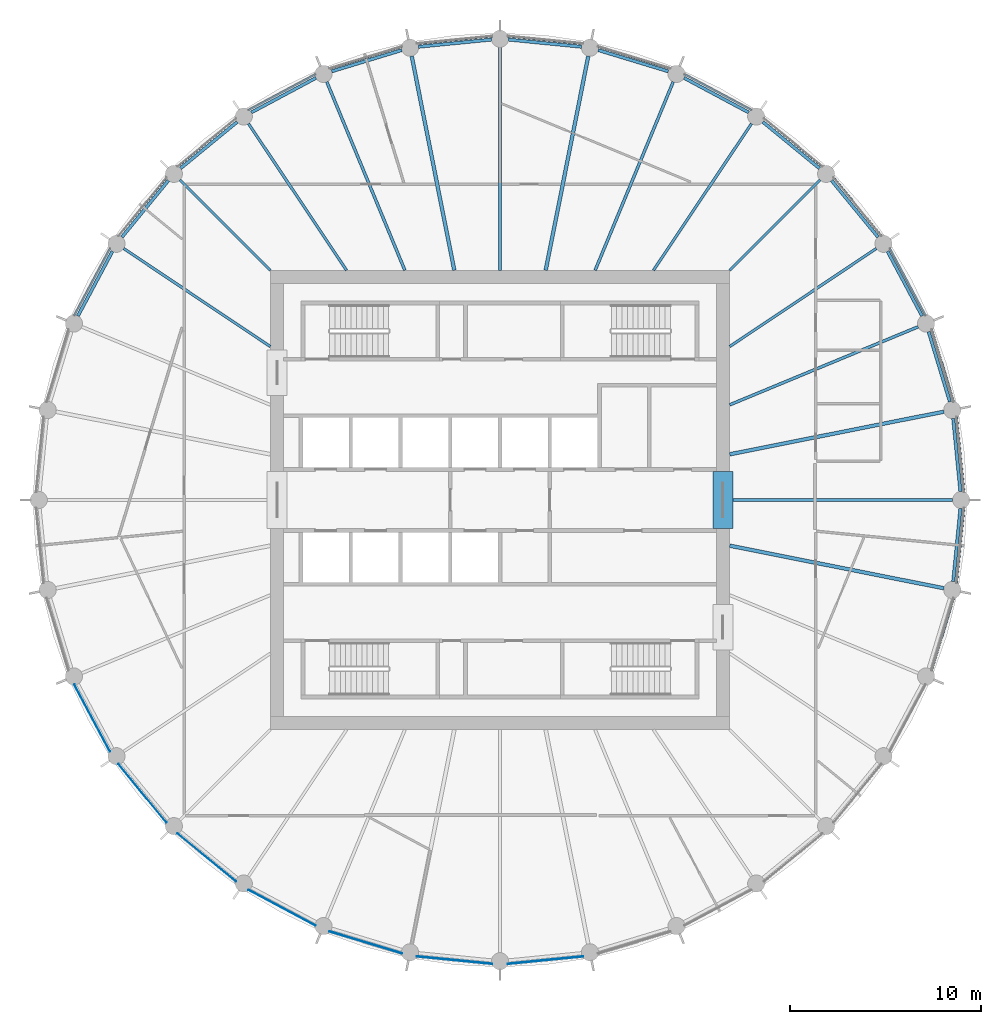
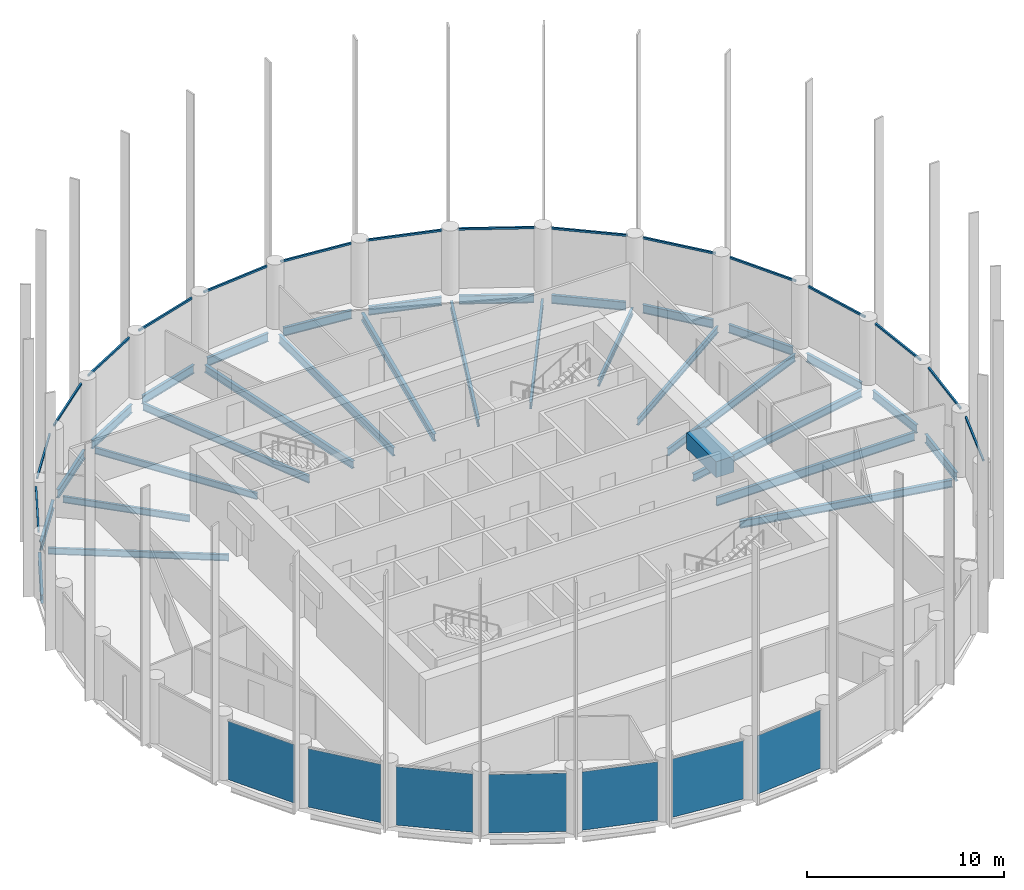
# One storey, part 2 of 7: 31 beams, 16 members, 7 plates, 23 elements without a shape of their own.
"""IFC4 building model written with IfcOpenShell, lengths in metres."""

from ifc_helpers import new_model, si_unit, direction, frame, origin, origin_2d, place, context, subcontext, project, spatial, rectangle, i_section, extrude, material, layer, layer_set, material_profile, profile_set, type_object, element, aggregate, save


model = new_model("IFC4")

# Units and contexts
model_context = context("Model", 3, precision=1e-05, world=origin(), true_north=direction((0.0, 1.0)))
body_context = subcontext(model_context, "Body", "Model", "MODEL_VIEW")
ifc_project = project(units=[si_unit("LENGTHUNIT", "METRE"), si_unit("AREAUNIT", "SQUARE_METRE"), si_unit("VOLUMEUNIT", "CUBIC_METRE"), si_unit("PLANEANGLEUNIT", "RADIAN"), si_unit("MASSUNIT", "GRAM", prefix="KILO")], contexts=[model_context])

# Site, building, storey
site_placement = place(None, origin())
site = spatial("IfcSite", under=ifc_project, at=site_placement, CompositionType="ELEMENT")
building_placement = place(site_placement, origin())
building = spatial("IfcBuilding", under=site, at=building_placement, Name="Corvane Civic Tower", CompositionType="ELEMENT")
storey_placement = place(building_placement, frame((0.0, 0.0, 279.0)))
storey = spatial("IfcBuildingStorey", under=building, at=storey_placement, Name="L66", CompositionType="ELEMENT", Elevation=279.0)

# Beams
ifc_material_1 = material(Name="Concrete C40/50", Category="concrete")
ifc_material_profile_1 = material_profile(ifc_material_1, rectangle(XDim=1.050048828125, YDim=1.0, at=origin_2d()), Name="COUPLING BEAM 1050X1000")
ifc_profile_set_1 = profile_set([ifc_material_profile_1], Name="Concrete C40/50")
beam_type_1 = type_object("IfcBeamType", Name="COUPLING BEAM COUPLING BEAM 1050X1000", PredefinedType="BEAM", material=ifc_profile_set_1)
beam_1_placement = place(storey_placement, frame((11.64990234375, -1.5, 2.60009765625), z_axis=(0.0, 1.0, 0.0), x_axis=(-1.0, 0.0, 0.0)))
element("IfcBeam", 1, at=beam_1_placement, inside=storey, type_object=beam_type_1, Name="BM-L66-cpl-CW-LE", PredefinedType="BEAM", context=body_context, shape_type="SweptSolid", body=[
    extrude(rectangle(XDim=1.050048828125, YDim=1.0, at=origin_2d()), origin(), (0.0, 0.0, 1.0), 3.0),
])
ifc_material_2 = material(Name="Steel ASTM A992 Gr 50", Category="steel")
ifc_material_profile_2 = material_profile(ifc_material_2, i_section(OverallWidth=0.165771484375, OverallDepth=0.5283203125, WebThickness=0.009765625, FlangeThickness=0.013671875, at=origin_2d()), Name="W21X50")
ifc_profile_set_2 = profile_set([ifc_material_profile_2], Name="Steel ASTM A992 Gr 50")
beam_type_2 = type_object("IfcBeamType", Name="EDGE BEAM W21X50", PredefinedType="BEAM", material=ifc_profile_set_2)
for number, where, z_axis, x_axis, name in (
    (2, (0.44775390625, 24.055908203125, -0.564208984375), (0.995187721162, -0.097986732007, 0.0), (0.097986732007, 0.995187721162, 0.0), "BM-L66-E01"),
    (3, (5.13232421875, 23.50634765625, -0.564208984375), (0.95692555902, -0.290333385085, 0.0), (0.290333385085, 0.95692555902, 0.0), "BM-L66-E02"),
):
    element("IfcBeam", number, at=place(storey_placement, frame(where, z_axis=z_axis, x_axis=x_axis)), inside=storey, type_object=beam_type_2, Name=name, PredefinedType="BEAM", context=body_context, shape_type="SweptSolid", body=[
        extrude(i_section(OverallWidth=0.165771484375, OverallDepth=0.5283203125, WebThickness=0.009765625, FlangeThickness=0.013671875, at=origin_2d()), origin(), (0.0, 0.0, 1.0), 3.824462890625),
    ])
beam_2_placement = place(storey_placement, frame((9.61962890625, 22.05322265625, -0.564208984375), z_axis=(0.881914279413, -0.471409804487, 0.0), x_axis=(0.471409804487, 0.881914279413, 0.0)))
element("IfcBeam", 4, at=beam_2_placement, inside=storey, type_object=beam_type_2, Name="BM-L66-E03", PredefinedType="BEAM", context=body_context, shape_type="SweptSolid", body=[
    extrude(i_section(OverallWidth=0.165771484375, OverallDepth=0.5283203125, WebThickness=0.009765625, FlangeThickness=0.013671875, at=origin_2d()), origin(), (0.0, 0.0, 1.0), 3.82421875),
])
for number, where, z_axis, x_axis, name in (
    (5, (13.737060546875, 19.7529296875, -0.564208984375), (0.772997914867, -0.634408562057, 0.0), (0.634408562057, 0.772997914867, 0.0), "BM-L66-E04"),
    (6, (17.32666015625, 16.693359375, -0.564208984375), (0.634408562057, -0.772997914867, 0.0), (0.772997914867, 0.634408562057, 0.0), "BM-L66-E05"),
):
    element("IfcBeam", number, at=place(storey_placement, frame(where, z_axis=z_axis, x_axis=x_axis)), inside=storey, type_object=beam_type_2, Name=name, PredefinedType="BEAM", context=body_context, shape_type="SweptSolid", body=[
        extrude(i_section(OverallWidth=0.165771484375, OverallDepth=0.5283203125, WebThickness=0.009765625, FlangeThickness=0.013671875, at=origin_2d()), origin(), (0.0, 0.0, 1.0), 3.824462890625),
    ])
beam_3_placement = place(storey_placement, frame((20.25048828125, 12.9921875, -0.564208984375), z_axis=(0.471409804487, -0.881914279413, 0.0), x_axis=(0.881914279413, 0.471409804487, 0.0)))
element("IfcBeam", 7, at=beam_3_placement, inside=storey, type_object=beam_type_2, Name="BM-L66-E06", PredefinedType="BEAM", context=body_context, shape_type="SweptSolid", body=[
    extrude(i_section(OverallWidth=0.165771484375, OverallDepth=0.5283203125, WebThickness=0.009765625, FlangeThickness=0.013671875, at=origin_2d()), origin(), (0.0, 0.0, 1.0), 3.82421875),
])
for number, where, z_axis, x_axis, name in (
    (8, (22.39599609375, 8.7919921875, -0.564208984375), (0.290333385085, -0.95692555902, 0.0), (0.95692555902, 0.290333385085, 0.0), "BM-L66-E07"),
    (9, (23.68115234375, 4.25390625, -0.564208984375), (0.097986732007, -0.995187721162, 0.0), (0.995187721162, 0.097986732007, 0.0), "BM-L66-E08"),
    (10, (24.055908203125, -0.44775390625, -0.564208984375), (-0.097986732007, -0.995187721162, 0.0), (0.995187721162, -0.097986732007, 0.0), "BM-L66-E09"),
):
    element("IfcBeam", number, at=place(storey_placement, frame(where, z_axis=z_axis, x_axis=x_axis)), inside=storey, type_object=beam_type_2, Name=name, PredefinedType="BEAM", context=body_context, shape_type="SweptSolid", body=[
        extrude(i_section(OverallWidth=0.165771484375, OverallDepth=0.5283203125, WebThickness=0.009765625, FlangeThickness=0.013671875, at=origin_2d()), origin(), (0.0, 0.0, 1.0), 3.824462890625),
    ])
beam_4_placement = place(storey_placement, frame((-22.05322265625, 9.61962890625, -0.564208984375), z_axis=(0.471409804487, 0.881914279413, 0.0), x_axis=(-0.881914279413, 0.471409804487, 0.0)))
element("IfcBeam", 11, at=beam_4_placement, inside=storey, type_object=beam_type_2, Name="BM-L66-E27", PredefinedType="BEAM", context=body_context, shape_type="SweptSolid", body=[
    extrude(i_section(OverallWidth=0.165771484375, OverallDepth=0.5283203125, WebThickness=0.009765625, FlangeThickness=0.013671875, at=origin_2d()), origin(), (0.0, 0.0, 1.0), 3.82421875),
])
for number, where, z_axis, x_axis, name in (
    (12, (-19.7529296875, 13.737060546875, -0.564208984375), (0.634408562057, 0.772997914867, 0.0), (-0.772997914867, 0.634408562057, 0.0), "BM-L66-E28"),
    (13, (-16.693359375, 17.32666015625, -0.564208984375), (0.772997914867, 0.634408562057, 0.0), (-0.634408562057, 0.772997914867, 0.0), "BM-L66-E29"),
):
    element("IfcBeam", number, at=place(storey_placement, frame(where, z_axis=z_axis, x_axis=x_axis)), inside=storey, type_object=beam_type_2, Name=name, PredefinedType="BEAM", context=body_context, shape_type="SweptSolid", body=[
        extrude(i_section(OverallWidth=0.165771484375, OverallDepth=0.5283203125, WebThickness=0.009765625, FlangeThickness=0.013671875, at=origin_2d()), origin(), (0.0, 0.0, 1.0), 3.824462890625),
    ])
beam_5_placement = place(storey_placement, frame((-12.9921875, 20.25048828125, -0.564208984375), z_axis=(0.881914279413, 0.471409804487, 0.0), x_axis=(-0.471409804487, 0.881914279413, 0.0)))
element("IfcBeam", 14, at=beam_5_placement, inside=storey, type_object=beam_type_2, Name="BM-L66-E30", PredefinedType="BEAM", context=body_context, shape_type="SweptSolid", body=[
    extrude(i_section(OverallWidth=0.165771484375, OverallDepth=0.5283203125, WebThickness=0.009765625, FlangeThickness=0.013671875, at=origin_2d()), origin(), (0.0, 0.0, 1.0), 3.82421875),
])
for number, where, z_axis, x_axis, name in (
    (15, (-8.7919921875, 22.39599609375, -0.564208984375), (0.95692555902, 0.290333385085, 0.0), (-0.290333385085, 0.95692555902, 0.0), "BM-L66-E31"),
    (16, (-4.25390625, 23.68115234375, -0.564208984375), (0.995187721162, 0.097986732007, 0.0), (-0.097986732007, 0.995187721162, 0.0), "BM-L66-E32"),
):
    element("IfcBeam", number, at=place(storey_placement, frame(where, z_axis=z_axis, x_axis=x_axis)), inside=storey, type_object=beam_type_2, Name=name, PredefinedType="BEAM", context=body_context, shape_type="SweptSolid", body=[
        extrude(i_section(OverallWidth=0.165771484375, OverallDepth=0.5283203125, WebThickness=0.009765625, FlangeThickness=0.013671875, at=origin_2d()), origin(), (0.0, 0.0, 1.0), 3.824462890625),
    ])
ifc_material_3 = material(Name="Steel ASTM A992 Gr 50", Category="steel")
ifc_material_profile_3 = material_profile(ifc_material_3, i_section(OverallWidth=0.140380859375, OverallDepth=0.40380859375, WebThickness=0.007080078125, FlangeThickness=0.01123046875, at=origin_2d()), Name="W16X31")
ifc_profile_set_3 = profile_set([ifc_material_profile_3], Name="Steel ASTM A992 Gr 50")
beam_type_3 = type_object("IfcBeamType", Name="FLOOR GIRDER W16X31", PredefinedType="BEAM", material=ifc_profile_set_3)
beam_6_placement = place(storey_placement, frame((8.01806640625, 12.0, -0.501953125), z_axis=(0.555567816355, 0.831471227061, 0.0), x_axis=(-0.831471227061, 0.555567816355, 0.0)))
element("IfcBeam", 17, at=beam_6_placement, inside=storey, type_object=beam_type_3, Name="BM-L66-G04", PredefinedType="BEAM", context=body_context, shape_type="SweptSolid", body=[
    extrude(i_section(OverallWidth=0.140380859375, OverallDepth=0.40380859375, WebThickness=0.007080078125, FlangeThickness=0.01123046875, at=origin_2d()), origin(), (0.0, 0.0, 1.0), 9.2177734375),
])
beam_7_placement = place(storey_placement, frame((12.0, 12.0, -0.501953125), z_axis=(0.707106781187, 0.707106781187, 0.0), x_axis=(-0.707106781187, 0.707106781187, 0.0)))
element("IfcBeam", 18, at=beam_7_placement, inside=storey, type_object=beam_type_3, Name="BM-L66-G05", PredefinedType="BEAM", context=body_context, shape_type="SweptSolid", body=[
    extrude(i_section(OverallWidth=0.140380859375, OverallDepth=0.40380859375, WebThickness=0.007080078125, FlangeThickness=0.01123046875, at=origin_2d()), origin(), (0.0, 0.0, 1.0), 6.679443359375),
])
for number, where, z_axis, x_axis, name in (
    (19, (12.0, 8.01806640625, -0.501953125), (0.831471227061, 0.555567816355, 0.0), (-0.555567816355, 0.831471227061, 0.0), "BM-L66-G06"),
    (20, (-12.0, 8.01806640625, -0.501953125), (-0.831471227061, 0.555567816355, 0.0), (-0.555567816355, -0.831471227061, 0.0), "BM-L66-G28"),
):
    element("IfcBeam", number, at=place(storey_placement, frame(where, z_axis=z_axis, x_axis=x_axis)), inside=storey, type_object=beam_type_3, Name=name, PredefinedType="BEAM", context=body_context, shape_type="SweptSolid", body=[
        extrude(i_section(OverallWidth=0.140380859375, OverallDepth=0.40380859375, WebThickness=0.007080078125, FlangeThickness=0.01123046875, at=origin_2d()), origin(), (0.0, 0.0, 1.0), 9.2177734375),
    ])
beam_8_placement = place(storey_placement, frame((-12.0, 12.0, -0.501953125), z_axis=(-0.707106781187, 0.707106781187, 0.0), x_axis=(-0.707106781187, -0.707106781187, 0.0)))
element("IfcBeam", 21, at=beam_8_placement, inside=storey, type_object=beam_type_3, Name="BM-L66-G29", PredefinedType="BEAM", context=body_context, shape_type="SweptSolid", body=[
    extrude(i_section(OverallWidth=0.140380859375, OverallDepth=0.40380859375, WebThickness=0.007080078125, FlangeThickness=0.01123046875, at=origin_2d()), origin(), (0.0, 0.0, 1.0), 6.679443359375),
])
beam_9_placement = place(storey_placement, frame((-8.01806640625, 12.0, -0.501953125), z_axis=(-0.555567816355, 0.831471227061, 0.0), x_axis=(-0.831471227061, -0.555567816355, 0.0)))
element("IfcBeam", 22, at=beam_9_placement, inside=storey, type_object=beam_type_3, Name="BM-L66-G30", PredefinedType="BEAM", context=body_context, shape_type="SweptSolid", body=[
    extrude(i_section(OverallWidth=0.140380859375, OverallDepth=0.40380859375, WebThickness=0.007080078125, FlangeThickness=0.01123046875, at=origin_2d()), origin(), (0.0, 0.0, 1.0), 9.2177734375),
])
ifc_material_4 = material(Name="Steel ASTM A992 Gr 50", Category="steel")
ifc_material_profile_4 = material_profile(ifc_material_4, i_section(OverallWidth=0.15283203125, OverallDepth=0.45458984375, WebThickness=0.008056640625, FlangeThickness=0.013427734375, at=origin_2d()), Name="W18X40")
ifc_profile_set_4 = profile_set([ifc_material_profile_4], Name="Steel ASTM A992 Gr 50")
beam_type_4 = type_object("IfcBeamType", Name="FLOOR GIRDER W18X40", PredefinedType="BEAM", material=ifc_profile_set_4)
for number, where, z_axis, x_axis, name in (
    (23, (4.970458984375, 12.0, -0.52734375), (0.382694257331, 0.923875048589, 0.0), (-0.923875048589, 0.382694257331, 0.0), "BM-L66-G03"),
    (24, (12.0, 4.970458984375, -0.52734375), (0.923875048589, 0.382694257331, 0.0), (-0.382694257331, 0.923875048589, 0.0), "BM-L66-G07"),
    (25, (-4.970458984375, 12.0, -0.52734375), (-0.382694257331, 0.923875048589, 0.0), (-0.923875048589, -0.382694257331, 0.0), "BM-L66-G31"),
):
    element("IfcBeam", number, at=place(storey_placement, frame(where, z_axis=z_axis, x_axis=x_axis)), inside=storey, type_object=beam_type_4, Name=name, PredefinedType="BEAM", context=body_context, shape_type="SweptSolid", body=[
        extrude(i_section(OverallWidth=0.15283203125, OverallDepth=0.45458984375, WebThickness=0.008056640625, FlangeThickness=0.013427734375, at=origin_2d()), origin(), (0.0, 0.0, 1.0), 10.661376953125),
    ])
ifc_material_5 = material(Name="Steel ASTM A992 Gr 50", Category="steel")
ifc_material_profile_5 = material_profile(ifc_material_5, i_section(OverallWidth=0.1904296875, OverallDepth=0.457275390625, WebThickness=0.009033203125, FlangeThickness=0.014404296875, at=origin_2d()), Name="W18X50")
ifc_profile_set_5 = profile_set([ifc_material_profile_5], Name="Steel ASTM A992 Gr 50")
beam_type_5 = type_object("IfcBeamType", Name="FLOOR GIRDER W18X50", PredefinedType="BEAM", material=ifc_profile_set_5)
for number, where, z_axis, x_axis, name in (
    (26, (2.386962890625, 12.0, -0.528564453125), (0.195079532402, 0.980787426529, 0.0), (-0.980787426529, 0.195079532402, 0.0), "BM-L66-G02"),
    (27, (12.0, 2.386962890625, -0.528564453125), (0.980787426529, 0.195079532402, 0.0), (-0.195079532402, 0.980787426529, 0.0), "BM-L66-G08"),
    (28, (12.0, -2.386962890625, -0.528564453125), (0.980787426529, -0.195079532402, 0.0), (0.195079532402, 0.980787426529, 0.0), "BM-L66-G10"),
    (29, (-2.386962890625, 12.0, -0.528564453125), (-0.195079532402, 0.980787426529, 0.0), (-0.980787426529, -0.195079532402, 0.0), "BM-L66-G32"),
):
    element("IfcBeam", number, at=place(storey_placement, frame(where, z_axis=z_axis, x_axis=x_axis)), inside=storey, type_object=beam_type_5, Name=name, PredefinedType="BEAM", context=body_context, shape_type="SweptSolid", body=[
        extrude(i_section(OverallWidth=0.1904296875, OverallDepth=0.457275390625, WebThickness=0.009033203125, FlangeThickness=0.014404296875, at=origin_2d()), origin(), (0.0, 0.0, 1.0), 11.414794921875),
    ])
ifc_material_6 = material(Name="Steel ASTM A992 Gr 50", Category="steel")
ifc_material_profile_6 = material_profile(ifc_material_6, i_section(OverallWidth=0.165771484375, OverallDepth=0.5283203125, WebThickness=0.009765625, FlangeThickness=0.013671875, at=origin_2d()), Name="W21X50")
ifc_profile_set_6 = profile_set([ifc_material_profile_6], Name="Steel ASTM A992 Gr 50")
beam_type_6 = type_object("IfcBeamType", Name="FLOOR GIRDER W21X50", PredefinedType="BEAM", material=ifc_profile_set_6)
for number, where, z_axis, x_axis, name in (
    (30, (0.0, 12.0, -0.564208984375), (0.0, 1.0, 0.0), (-1.0, 0.0, 0.0), "BM-L66-G01"),
    (31, (12.0, 0.0, -0.564208984375), (1.0, 0.0, 0.0), (0.0, 1.0, 0.0), "BM-L66-G09"),
):
    element("IfcBeam", number, at=place(storey_placement, frame(where, z_axis=z_axis, x_axis=x_axis)), inside=storey, type_object=beam_type_6, Name=name, PredefinedType="BEAM", context=body_context, shape_type="SweptSolid", body=[
        extrude(i_section(OverallWidth=0.165771484375, OverallDepth=0.5283203125, WebThickness=0.009765625, FlangeThickness=0.013671875, at=origin_2d()), origin(), (0.0, 0.0, 1.0), 11.64990234375),
    ])

# Curtain wall, member
ifc_material_7 = material(Name="Anodised aluminium bronze", Category="aluminium")
curtain_wall_type = type_object("IfcCurtainWallType", Name="TOWER CW-T3 STICK CURTAIN WALL", PredefinedType="NOTDEFINED", material=ifc_material_7)
curtain_wall_1_placement = place(storey_placement, origin())
curtain_wall_1 = element("IfcCurtainWall", 32, at=curtain_wall_1_placement, inside=storey, type_object=curtain_wall_type, Name="Curtain wall CW-T3 L66 bay 01", PredefinedType="NOTDEFINED")
ifc_material_8 = material(Name="Anodised aluminium bronze", Category="aluminium")
ifc_material_profile_7 = material_profile(ifc_material_8, rectangle(XDim=0.10009765625, YDim=0.1201171875, at=origin_2d()), Name="TOWER CW-T3 TRANSOM 100x120")
ifc_profile_set_7 = profile_set([ifc_material_profile_7], Name="Anodised aluminium bronze")
member_type = type_object("IfcMemberType", Name="TOWER CW-T3 TRANSOM 100x120", PredefinedType="USERDEFINED", material=ifc_profile_set_7)
member_1_placement = place(storey_placement, frame((0.3984375, 24.24072265625, 3.68994140625), z_axis=(0.995186866683, -0.097995409999, 0.0), x_axis=(0.097995409999, 0.995186866683, 0.0)))
member_1 = element("IfcMember", 33, at=member_1_placement, type_object=member_type, Name="Transom CW-T3 L66 01.1", ObjectType="TRANSOM", PredefinedType="USERDEFINED", context=body_context, shape_type="SweptSolid", body=[
    extrude(rectangle(XDim=0.10009765625, YDim=0.1201171875, at=origin_2d()), origin(), (0.0, 0.0, 1.0), 3.958740234375),
])
aggregate(curtain_wall_1, [member_1])

curtain_wall_2_placement = place(storey_placement, origin())
curtain_wall_2 = element("IfcCurtainWall", 34, at=curtain_wall_2_placement, inside=storey, type_object=curtain_wall_type, Name="Curtain wall CW-T3 L66 bay 02", PredefinedType="NOTDEFINED")
member_2_placement = place(storey_placement, frame((5.119873046875, 23.697265625, 3.68994140625), z_axis=(0.956946054205, -0.290265825309, 0.0), x_axis=(0.290265825309, 0.956946054205, 0.0)))
member_2 = element("IfcMember", 35, at=member_2_placement, type_object=member_type, Name="Transom CW-T3 L66 02.1", ObjectType="TRANSOM", PredefinedType="USERDEFINED", context=body_context, shape_type="SweptSolid", body=[
    extrude(rectangle(XDim=0.10009765625, YDim=0.1201171875, at=origin_2d()), origin(), (0.0, 0.0, 1.0), 3.958984375),
])
aggregate(curtain_wall_2, [member_2])

curtain_wall_3_placement = place(storey_placement, origin())
curtain_wall_3 = element("IfcCurtainWall", 36, at=curtain_wall_3_placement, inside=storey, type_object=curtain_wall_type, Name="Curtain wall CW-T3 L66 bay 03", PredefinedType="NOTDEFINED")
member_3_placement = place(storey_placement, frame((9.644775390625, 22.2431640625, 3.68994140625), z_axis=(0.881883040816, -0.471468241052, 0.0), x_axis=(0.471468241052, 0.881883040816, 0.0)))
member_3 = element("IfcMember", 37, at=member_3_placement, type_object=member_type, Name="Transom CW-T3 L66 03.1", ObjectType="TRANSOM", PredefinedType="USERDEFINED", context=body_context, shape_type="SweptSolid", body=[
    extrude(rectangle(XDim=0.10009765625, YDim=0.1201171875, at=origin_2d()), origin(), (0.0, 0.0, 1.0), 3.958740234375),
])
aggregate(curtain_wall_3, [member_3])

curtain_wall_4_placement = place(storey_placement, origin())
curtain_wall_4 = element("IfcCurtainWall", 38, at=curtain_wall_4_placement, inside=storey, type_object=curtain_wall_type, Name="Curtain wall CW-T3 L66 bay 04", PredefinedType="NOTDEFINED")
member_4_placement = place(storey_placement, frame((13.798828125, 19.93408203125, 3.68994140625), z_axis=(0.772991943051, -0.634415838373, 0.0), x_axis=(0.634415838373, 0.772991943051, 0.0)))
member_4 = element("IfcMember", 39, at=member_4_placement, type_object=member_type, Name="Transom CW-T3 L66 04.1", ObjectType="TRANSOM", PredefinedType="USERDEFINED", context=body_context, shape_type="SweptSolid", body=[
    extrude(rectangle(XDim=0.10009765625, YDim=0.1201171875, at=origin_2d()), origin(), (0.0, 0.0, 1.0), 3.958740234375),
])
aggregate(curtain_wall_4, [member_4])

curtain_wall_5_placement = place(storey_placement, origin())
curtain_wall_5 = element("IfcCurtainWall", 40, at=curtain_wall_5_placement, inside=storey, type_object=curtain_wall_type, Name="Curtain wall CW-T3 L66 bay 05", PredefinedType="NOTDEFINED")
member_5_placement = place(storey_placement, frame((17.422607421875, 16.85888671875, 3.68994140625), z_axis=(0.634415838373, -0.772991943051, 0.0), x_axis=(0.772991943051, 0.634415838373, 0.0)))
member_5 = element("IfcMember", 41, at=member_5_placement, type_object=member_type, Name="Transom CW-T3 L66 05.1", ObjectType="TRANSOM", PredefinedType="USERDEFINED", context=body_context, shape_type="SweptSolid", body=[
    extrude(rectangle(XDim=0.10009765625, YDim=0.1201171875, at=origin_2d()), origin(), (0.0, 0.0, 1.0), 3.958740234375),
])
aggregate(curtain_wall_5, [member_5])

curtain_wall_6_placement = place(storey_placement, origin())
curtain_wall_6 = element("IfcCurtainWall", 42, at=curtain_wall_6_placement, inside=storey, type_object=curtain_wall_type, Name="Curtain wall CW-T3 L66 bay 06", PredefinedType="NOTDEFINED")
member_6_placement = place(storey_placement, frame((20.376708984375, 13.135986328125, 3.68994140625), z_axis=(0.471468241052, -0.881883040816, 0.0), x_axis=(0.881883040816, 0.471468241052, 0.0)))
member_6 = element("IfcMember", 43, at=member_6_placement, type_object=member_type, Name="Transom CW-T3 L66 06.1", ObjectType="TRANSOM", PredefinedType="USERDEFINED", context=body_context, shape_type="SweptSolid", body=[
    extrude(rectangle(XDim=0.10009765625, YDim=0.1201171875, at=origin_2d()), origin(), (0.0, 0.0, 1.0), 3.958740234375),
])
aggregate(curtain_wall_6, [member_6])

curtain_wall_7_placement = place(storey_placement, origin())
curtain_wall_7 = element("IfcCurtainWall", 44, at=curtain_wall_7_placement, inside=storey, type_object=curtain_wall_type, Name="Curtain wall CW-T3 L66 bay 07", PredefinedType="NOTDEFINED")
member_7_placement = place(storey_placement, frame((22.548095703125, 8.908447265625, 3.68994140625), z_axis=(0.290265825309, -0.956946054205, 0.0), x_axis=(0.956946054205, 0.290265825309, 0.0)))
member_7 = element("IfcMember", 45, at=member_7_placement, type_object=member_type, Name="Transom CW-T3 L66 07.1", ObjectType="TRANSOM", PredefinedType="USERDEFINED", context=body_context, shape_type="SweptSolid", body=[
    extrude(rectangle(XDim=0.10009765625, YDim=0.1201171875, at=origin_2d()), origin(), (0.0, 0.0, 1.0), 3.958984375),
])
aggregate(curtain_wall_7, [member_7])

curtain_wall_8_placement = place(storey_placement, origin())
curtain_wall_8 = element("IfcCurtainWall", 46, at=curtain_wall_8_placement, inside=storey, type_object=curtain_wall_type, Name="Curtain wall CW-T3 L66 bay 08", PredefinedType="NOTDEFINED")
member_8_placement = place(storey_placement, frame((23.852783203125, 4.338134765625, 3.68994140625), z_axis=(0.097995409999, -0.995186866683, 0.0), x_axis=(0.995186866683, 0.097995409999, 0.0)))
member_8 = element("IfcMember", 47, at=member_8_placement, type_object=member_type, Name="Transom CW-T3 L66 08.1", ObjectType="TRANSOM", PredefinedType="USERDEFINED", context=body_context, shape_type="SweptSolid", body=[
    extrude(rectangle(XDim=0.10009765625, YDim=0.1201171875, at=origin_2d()), origin(), (0.0, 0.0, 1.0), 3.958740234375),
])
aggregate(curtain_wall_8, [member_8])

curtain_wall_9_placement = place(storey_placement, origin())
curtain_wall_9 = element("IfcCurtainWall", 48, at=curtain_wall_9_placement, inside=storey, type_object=curtain_wall_type, Name="Curtain wall CW-T3 L66 bay 09", PredefinedType="NOTDEFINED")
member_9_placement = place(storey_placement, frame((24.24072265625, -0.3984375, 3.68994140625), z_axis=(-0.097995409999, -0.995186866683, 0.0), x_axis=(0.995186866683, -0.097995409999, 0.0)))
member_9 = element("IfcMember", 49, at=member_9_placement, type_object=member_type, Name="Transom CW-T3 L66 09.1", ObjectType="TRANSOM", PredefinedType="USERDEFINED", context=body_context, shape_type="SweptSolid", body=[
    extrude(rectangle(XDim=0.10009765625, YDim=0.1201171875, at=origin_2d()), origin(), (0.0, 0.0, 1.0), 3.958740234375),
])
aggregate(curtain_wall_9, [member_9])

curtain_wall_10_placement = place(storey_placement, origin())
curtain_wall_10 = element("IfcCurtainWall", 50, at=curtain_wall_10_placement, inside=storey, type_object=curtain_wall_type, Name="Curtain wall CW-T3 L66 bay 10", PredefinedType="NOTDEFINED")
member_10_placement = place(storey_placement, frame((23.697265625, -5.119873046875, 3.68994140625), z_axis=(-0.290265825309, -0.956946054205, 0.0), x_axis=(0.956946054205, -0.290265825309, 0.0)))
member_10 = element("IfcMember", 51, at=member_10_placement, type_object=member_type, Name="Transom CW-T3 L66 10.1", ObjectType="TRANSOM", PredefinedType="USERDEFINED", context=body_context, shape_type="SweptSolid", body=[
    extrude(rectangle(XDim=0.10009765625, YDim=0.1201171875, at=origin_2d()), origin(), (0.0, 0.0, 1.0), 3.958984375),
])
aggregate(curtain_wall_10, [member_10])

curtain_wall_11_placement = place(storey_placement, origin())
curtain_wall_11 = element("IfcCurtainWall", 52, at=curtain_wall_11_placement, inside=storey, type_object=curtain_wall_type, Name="Curtain wall CW-T3 L66 bay 27", PredefinedType="NOTDEFINED")
member_11_placement = place(storey_placement, frame((-22.2431640625, 9.644775390625, 3.68994140625), z_axis=(0.471468241052, 0.881883040816, 0.0), x_axis=(-0.881883040816, 0.471468241052, 0.0)))
member_11 = element("IfcMember", 53, at=member_11_placement, type_object=member_type, Name="Transom CW-T3 L66 27.1", ObjectType="TRANSOM", PredefinedType="USERDEFINED", context=body_context, shape_type="SweptSolid", body=[
    extrude(rectangle(XDim=0.10009765625, YDim=0.1201171875, at=origin_2d()), origin(), (0.0, 0.0, 1.0), 3.958740234375),
])
aggregate(curtain_wall_11, [member_11])

curtain_wall_12_placement = place(storey_placement, origin())
curtain_wall_12 = element("IfcCurtainWall", 54, at=curtain_wall_12_placement, inside=storey, type_object=curtain_wall_type, Name="Curtain wall CW-T3 L66 bay 28", PredefinedType="NOTDEFINED")
member_12_placement = place(storey_placement, frame((-19.93408203125, 13.798828125, 3.68994140625), z_axis=(0.634415838373, 0.772991943051, 0.0), x_axis=(-0.772991943051, 0.634415838373, 0.0)))
member_12 = element("IfcMember", 55, at=member_12_placement, type_object=member_type, Name="Transom CW-T3 L66 28.1", ObjectType="TRANSOM", PredefinedType="USERDEFINED", context=body_context, shape_type="SweptSolid", body=[
    extrude(rectangle(XDim=0.10009765625, YDim=0.1201171875, at=origin_2d()), origin(), (0.0, 0.0, 1.0), 3.958740234375),
])
aggregate(curtain_wall_12, [member_12])

curtain_wall_13_placement = place(storey_placement, origin())
curtain_wall_13 = element("IfcCurtainWall", 56, at=curtain_wall_13_placement, inside=storey, type_object=curtain_wall_type, Name="Curtain wall CW-T3 L66 bay 29", PredefinedType="NOTDEFINED")
member_13_placement = place(storey_placement, frame((-16.85888671875, 17.422607421875, 3.68994140625), z_axis=(0.772991943051, 0.634415838373, 0.0), x_axis=(-0.634415838373, 0.772991943051, 0.0)))
member_13 = element("IfcMember", 57, at=member_13_placement, type_object=member_type, Name="Transom CW-T3 L66 29.1", ObjectType="TRANSOM", PredefinedType="USERDEFINED", context=body_context, shape_type="SweptSolid", body=[
    extrude(rectangle(XDim=0.10009765625, YDim=0.1201171875, at=origin_2d()), origin(), (0.0, 0.0, 1.0), 3.958740234375),
])
aggregate(curtain_wall_13, [member_13])

curtain_wall_14_placement = place(storey_placement, origin())
curtain_wall_14 = element("IfcCurtainWall", 58, at=curtain_wall_14_placement, inside=storey, type_object=curtain_wall_type, Name="Curtain wall CW-T3 L66 bay 30", PredefinedType="NOTDEFINED")
member_14_placement = place(storey_placement, frame((-13.135986328125, 20.376708984375, 3.68994140625), z_axis=(0.881883040816, 0.471468241052, 0.0), x_axis=(-0.471468241052, 0.881883040816, 0.0)))
member_14 = element("IfcMember", 59, at=member_14_placement, type_object=member_type, Name="Transom CW-T3 L66 30.1", ObjectType="TRANSOM", PredefinedType="USERDEFINED", context=body_context, shape_type="SweptSolid", body=[
    extrude(rectangle(XDim=0.10009765625, YDim=0.1201171875, at=origin_2d()), origin(), (0.0, 0.0, 1.0), 3.958740234375),
])
aggregate(curtain_wall_14, [member_14])

curtain_wall_15_placement = place(storey_placement, origin())
curtain_wall_15 = element("IfcCurtainWall", 60, at=curtain_wall_15_placement, inside=storey, type_object=curtain_wall_type, Name="Curtain wall CW-T3 L66 bay 31", PredefinedType="NOTDEFINED")
member_15_placement = place(storey_placement, frame((-8.908447265625, 22.548095703125, 3.68994140625), z_axis=(0.956946054205, 0.290265825309, 0.0), x_axis=(-0.290265825309, 0.956946054205, 0.0)))
member_15 = element("IfcMember", 61, at=member_15_placement, type_object=member_type, Name="Transom CW-T3 L66 31.1", ObjectType="TRANSOM", PredefinedType="USERDEFINED", context=body_context, shape_type="SweptSolid", body=[
    extrude(rectangle(XDim=0.10009765625, YDim=0.1201171875, at=origin_2d()), origin(), (0.0, 0.0, 1.0), 3.958984375),
])
aggregate(curtain_wall_15, [member_15])

curtain_wall_16_placement = place(storey_placement, origin())
curtain_wall_16 = element("IfcCurtainWall", 62, at=curtain_wall_16_placement, inside=storey, type_object=curtain_wall_type, Name="Curtain wall CW-T3 L66 bay 32", PredefinedType="NOTDEFINED")
member_16_placement = place(storey_placement, frame((-4.338134765625, 23.852783203125, 3.68994140625), z_axis=(0.995186866683, 0.097995409999, 0.0), x_axis=(-0.097995409999, 0.995186866683, 0.0)))
member_16 = element("IfcMember", 63, at=member_16_placement, type_object=member_type, Name="Transom CW-T3 L66 32.1", ObjectType="TRANSOM", PredefinedType="USERDEFINED", context=body_context, shape_type="SweptSolid", body=[
    extrude(rectangle(XDim=0.10009765625, YDim=0.1201171875, at=origin_2d()), origin(), (0.0, 0.0, 1.0), 3.958740234375),
])
aggregate(curtain_wall_16, [member_16])

# Curtain wall, plate
curtain_wall_17_placement = place(storey_placement, origin())
curtain_wall_17 = element("IfcCurtainWall", 64, at=curtain_wall_17_placement, inside=storey, type_object=curtain_wall_type, Name="Curtain wall CW-T3 L66 bay 16", PredefinedType="NOTDEFINED")
ifc_material_9 = material(Name="Tinted glass", Category="glass")
ifc_layer = layer(ifc_material_9, 0.028076171875)
ifc_layer_set = layer_set([ifc_layer], Name="Tinted glass")
plate_type = type_object("IfcPlateType", Name="TOWER CW-T3 PANEL IGU28", PredefinedType="CURTAIN_PANEL", material=ifc_layer_set)
plate_1_placement = place(storey_placement, frame((2.368408203125, -24.046875, 0.0), z_axis=(0.0, 0.0, 1.0), x_axis=(-0.99518437747, -0.098020685775, 0.0)))
plate_1 = element("IfcPlate", 65, at=plate_1_placement, type_object=plate_type, Name="Glass panel CW-T3 L66 16.1", PredefinedType="CURTAIN_PANEL", context=body_context, shape_type="SweptSolid", body=[
    extrude(rectangle(XDim=3.958740234375, YDim=0.028076171875, at=origin_2d()), origin(), (0.0, 0.0, 1.0), 3.6298828125),
])
aggregate(curtain_wall_17, [plate_1])

curtain_wall_18_placement = place(storey_placement, origin())
curtain_wall_18 = element("IfcCurtainWall", 66, at=curtain_wall_18_placement, inside=storey, type_object=curtain_wall_type, Name="Curtain wall CW-T3 L66 bay 17", PredefinedType="NOTDEFINED")
plate_2_placement = place(storey_placement, frame((-2.368408203125, -24.046875, 0.0), z_axis=(0.0, 0.0, 1.0), x_axis=(-0.99518437747, 0.098020685775, 0.0)))
plate_2 = element("IfcPlate", 67, at=plate_2_placement, type_object=plate_type, Name="Glass panel CW-T3 L66 17.1", PredefinedType="CURTAIN_PANEL", context=body_context, shape_type="SweptSolid", body=[
    extrude(rectangle(XDim=3.958740234375, YDim=0.028076171875, at=origin_2d()), origin(), (0.0, 0.0, 1.0), 3.6298828125),
])
aggregate(curtain_wall_18, [plate_2])

curtain_wall_19_placement = place(storey_placement, origin())
curtain_wall_19 = element("IfcCurtainWall", 68, at=curtain_wall_19_placement, inside=storey, type_object=curtain_wall_type, Name="Curtain wall CW-T3 L66 bay 18", PredefinedType="NOTDEFINED")
plate_3_placement = place(storey_placement, frame((-7.01416015625, -23.12255859375, 0.0), z_axis=(0.0, 0.0, 1.0), x_axis=(-0.956943694519, 0.290273604586, 0.0)))
plate_3 = element("IfcPlate", 69, at=plate_3_placement, type_object=plate_type, Name="Glass panel CW-T3 L66 18.1", PredefinedType="CURTAIN_PANEL", context=body_context, shape_type="SweptSolid", body=[
    extrude(rectangle(XDim=3.958984375, YDim=0.028076171875, at=origin_2d()), origin(), (0.0, 0.0, 1.0), 3.6298828125),
])
aggregate(curtain_wall_19, [plate_3])

curtain_wall_20_placement = place(storey_placement, origin())
curtain_wall_20 = element("IfcCurtainWall", 70, at=curtain_wall_20_placement, inside=storey, type_object=curtain_wall_type, Name="Curtain wall CW-T3 L66 bay 19", PredefinedType="NOTDEFINED")
plate_4_placement = place(storey_placement, frame((-11.390380859375, -21.31005859375, 0.0), z_axis=(0.0, 0.0, 1.0), x_axis=(-0.881908138655, 0.471421292448, 0.0)))
plate_4 = element("IfcPlate", 71, at=plate_4_placement, type_object=plate_type, Name="Glass panel CW-T3 L66 19.1", PredefinedType="CURTAIN_PANEL", context=body_context, shape_type="SweptSolid", body=[
    extrude(rectangle(XDim=3.958740234375, YDim=0.028076171875, at=origin_2d()), origin(), (0.0, 0.0, 1.0), 3.6298828125),
])
aggregate(curtain_wall_20, [plate_4])

curtain_wall_21_placement = place(storey_placement, origin())
curtain_wall_21 = element("IfcCurtainWall", 72, at=curtain_wall_21_placement, inside=storey, type_object=curtain_wall_type, Name="Curtain wall CW-T3 L66 bay 20", PredefinedType="NOTDEFINED")
plate_5_placement = place(storey_placement, frame((-15.328857421875, -18.67822265625, 0.0), z_axis=(0.0, 0.0, 1.0), x_axis=(-0.773001130565, 0.634404643855, 0.0)))
plate_5 = element("IfcPlate", 73, at=plate_5_placement, type_object=plate_type, Name="Glass panel CW-T3 L66 20.1", PredefinedType="CURTAIN_PANEL", context=body_context, shape_type="SweptSolid", body=[
    extrude(rectangle(XDim=3.958740234375, YDim=0.028076171875, at=origin_2d()), origin(), (0.0, 0.0, 1.0), 3.6298828125),
])
aggregate(curtain_wall_21, [plate_5])

curtain_wall_22_placement = place(storey_placement, origin())
curtain_wall_22 = element("IfcCurtainWall", 74, at=curtain_wall_22_placement, inside=storey, type_object=curtain_wall_type, Name="Curtain wall CW-T3 L66 bay 21", PredefinedType="NOTDEFINED")
plate_6_placement = place(storey_placement, frame((-18.67822265625, -15.328857421875, 0.0), z_axis=(0.0, 0.0, 1.0), x_axis=(-0.634404643855, 0.773001130565, 0.0)))
plate_6 = element("IfcPlate", 75, at=plate_6_placement, type_object=plate_type, Name="Glass panel CW-T3 L66 21.1", PredefinedType="CURTAIN_PANEL", context=body_context, shape_type="SweptSolid", body=[
    extrude(rectangle(XDim=3.958740234375, YDim=0.028076171875, at=origin_2d()), origin(), (0.0, 0.0, 1.0), 3.6298828125),
])
aggregate(curtain_wall_22, [plate_6])

curtain_wall_23_placement = place(storey_placement, origin())
curtain_wall_23 = element("IfcCurtainWall", 76, at=curtain_wall_23_placement, inside=storey, type_object=curtain_wall_type, Name="Curtain wall CW-T3 L66 bay 22", PredefinedType="NOTDEFINED")
plate_7_placement = place(storey_placement, frame((-21.31005859375, -11.390380859375, 0.0), z_axis=(0.0, 0.0, 1.0), x_axis=(-0.471421292448, 0.881908138655, 0.0)))
plate_7 = element("IfcPlate", 77, at=plate_7_placement, type_object=plate_type, Name="Glass panel CW-T3 L66 22.1", PredefinedType="CURTAIN_PANEL", context=body_context, shape_type="SweptSolid", body=[
    extrude(rectangle(XDim=3.958740234375, YDim=0.028076171875, at=origin_2d()), origin(), (0.0, 0.0, 1.0), 3.6298828125),
])
aggregate(curtain_wall_23, [plate_7])

save(model, "model.ifc")
